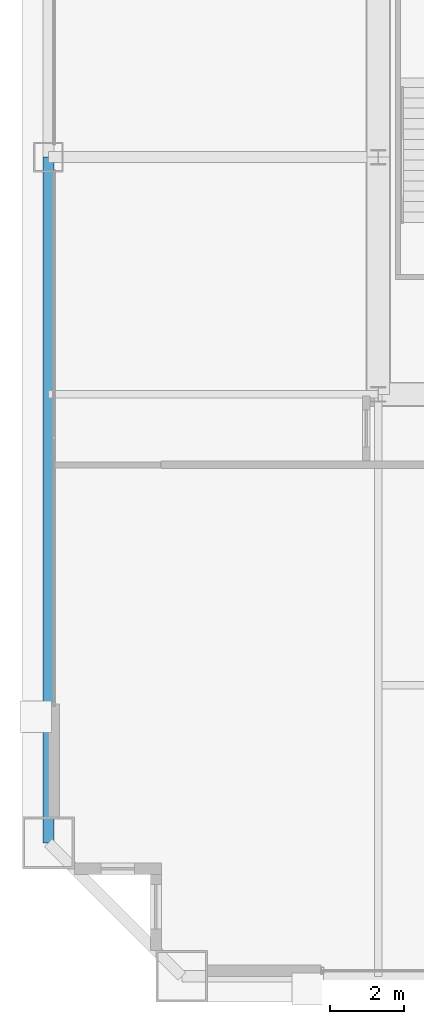
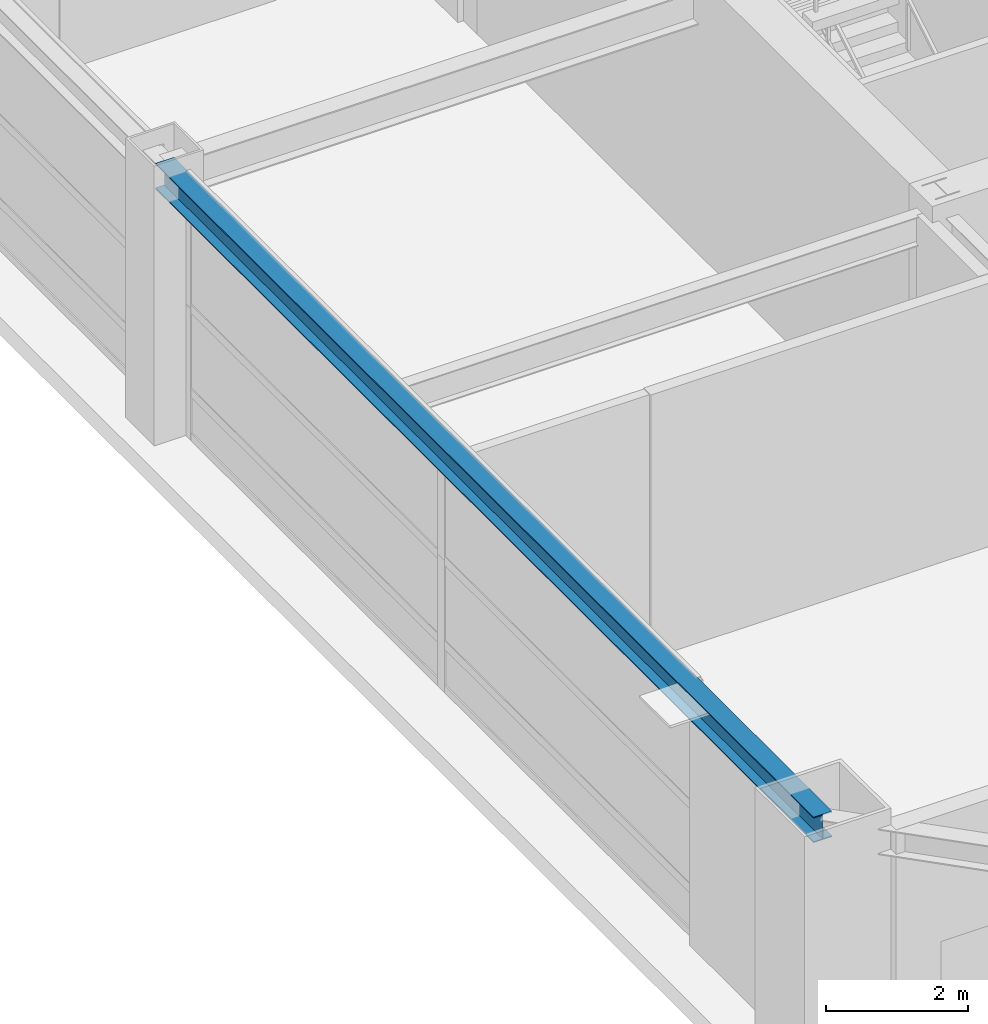
# One storey, part 7 of 34: 1 beam.
"""IFC4 building model written with IfcOpenShell, lengths in metres."""

import ifcopenshell
import ifcopenshell.guid

model = None  # the IFC model being written
_history = None  # IfcOwnerHistory: only IFC2X3 demands one
_inside = {}  # id of a spatial element -> (the spatial element, [elements in it])
_under = {}  # id of a project, library or spatial element -> (it, [spatial elements below it])
_declared = {}  # id of a project -> (the project, [libraries it declares])
_typed = {}  # id of a type object -> (the type object, [elements of that type])
_made_of = {}  # id of a material, layer set ... -> (it, [elements and type objects made of it])


def new_model(schema):
    """Start an empty IFC model of exactly this schema.

    Asked for "IFC4X3", IfcOpenShell would pick the latest addendum, in which some entities
    have other attributes; the version numbers below select the first issue.
    IFC2X3 requires an IfcOwnerHistory on every rooted entity: one is made here for all.
    """
    global model, _history
    if schema == "IFC4X3":
        model = ifcopenshell.file(schema_version=(4, 3, 0, 0))
    else:
        model = ifcopenshell.file(schema=schema)
    _inside.clear()
    _under.clear()
    _declared.clear()
    _typed.clear()
    _made_of.clear()
    _history = None
    if model.schema == "IFC2X3":
        org = make("IfcOrganization", Name="unknown")
        user = make(
            "IfcPersonAndOrganization",
            ThePerson=make("IfcPerson", FamilyName="unknown"),
            TheOrganization=org,
        )
        app = make(
            "IfcApplication",
            ApplicationDeveloper=org,
            Version="unknown",
            ApplicationFullName="unknown",
            ApplicationIdentifier="unknown",
        )
        _history = make(
            "IfcOwnerHistory",
            OwningUser=user,
            OwningApplication=app,
            ChangeAction="ADDED",
            CreationDate=0,
        )
    return model


def make(cls, **values):
    """One entity of the class cls with the attributes given. An attribute that is None is left unset."""
    return model.create_entity(
        cls, **{name: value for name, value in values.items() if value is not None}
    )


def rooted(cls, **values):
    """An entity with a GlobalId (a new one), such as an element, a storey or a relation."""
    return make(cls, GlobalId=ifcopenshell.guid.new(), OwnerHistory=_history, **values)


def si_unit(unit_type, name, prefix=None):
    """IfcSIUnit, for example si_unit("LENGTHUNIT", "METRE", prefix="MILLI")."""
    return make("IfcSIUnit", UnitType=unit_type, Prefix=prefix, Name=name)


def assignment(units):
    """IfcUnitAssignment: the units of a project."""
    return None if units is None else make("IfcUnitAssignment", Units=units)


def point(xyz):
    """IfcCartesianPoint."""
    return None if xyz is None else make("IfcCartesianPoint", Coordinates=xyz)


def direction(xyz):
    """IfcDirection."""
    return None if xyz is None else make("IfcDirection", DirectionRatios=xyz)


def frame(location, z_axis=None, x_axis=None):
    """IfcAxis2Placement3D, a coordinate frame: its origin and axes. An axis left out is left unset."""
    return make(
        "IfcAxis2Placement3D",
        Location=point(location),
        Axis=direction(z_axis),
        RefDirection=direction(x_axis),
    )


def frame_2d(location, x_axis=None):
    """IfcAxis2Placement2D, a coordinate frame in the plane: its origin and x axis."""
    return make(
        "IfcAxis2Placement2D", Location=point(location), RefDirection=direction(x_axis)
    )


def origin():
    """The frame at (0, 0, 0) with its axes left unset."""
    return frame((0.0, 0.0, 0.0))


def origin_2d():
    """The frame at (0, 0) in the plane with its x axis left unset."""
    return frame_2d((0.0, 0.0))


def place(relative_to, where):
    """IfcLocalPlacement: puts the frame where relative to a parent placement (None: the world)."""
    return make(
        "IfcLocalPlacement", PlacementRelTo=relative_to, RelativePlacement=where
    )


def context(
    kind, dimensions, precision=None, world=None, true_north=None, identifier=None
):
    """IfcGeometricRepresentationContext, for example the 3D "Model" context."""
    return make(
        "IfcGeometricRepresentationContext",
        ContextIdentifier=identifier,
        ContextType=kind,
        CoordinateSpaceDimension=dimensions,
        Precision=precision,
        WorldCoordinateSystem=world,
        TrueNorth=true_north,
    )


def subcontext(parent, identifier, kind, view, scale=None):
    """IfcGeometricRepresentationSubContext, for example "Body" below "Model"."""
    return make(
        "IfcGeometricRepresentationSubContext",
        ContextIdentifier=identifier,
        ContextType=kind,
        ParentContext=parent,
        TargetScale=scale,
        TargetView=view,
    )


def project(units=None, contexts=None):
    """IfcProject with its units and contexts."""
    return rooted(
        "IfcProject",
        Name="project",
        RepresentationContexts=contexts,
        UnitsInContext=assignment(units),
    )


def spatial(cls, under=None, at=None, **own):
    """A site, building, storey or space (cls), placed at a placement, below another one or the project."""
    s = rooted(cls, ObjectPlacement=at, **own)
    if under is not None:
        _under.setdefault(under.id(), (under, []))[1].append(s)
    return s


def profile(cls, at=None, kind="AREA", **sizes):
    """A parametric profile (cls). Its sizes go by their IFC names, for example OverallWidth=200.0."""
    return make(cls, ProfileType=kind, Position=at, **sizes)


def i_section(**sizes):
    """IfcIShapeProfileDef."""
    return profile("IfcIShapeProfileDef", **sizes)


def extrude(swept, where, along, depth):
    """IfcExtrudedAreaSolid: the profile swept, set in the frame where, extruded along a direction by depth."""
    return make(
        "IfcExtrudedAreaSolid",
        SweptArea=swept,
        Position=where,
        ExtrudedDirection=direction(along),
        Depth=depth,
    )


def shape(context_of_items, identifier, shape_type, items):
    """IfcShapeRepresentation: the items that make up one representation, for example the "Body"."""
    return make(
        "IfcShapeRepresentation",
        ContextOfItems=context_of_items,
        RepresentationIdentifier=identifier,
        RepresentationType=shape_type,
        Items=items,
    )


def source(mapping_origin, context_of_items, identifier, shape_type, items):
    """IfcRepresentationMap: a shape defined once, which mapped items show again and again."""
    return make(
        "IfcRepresentationMap",
        MappingOrigin=mapping_origin,
        MappedRepresentation=shape(context_of_items, identifier, shape_type, items),
    )


def transform(
    local_origin,
    x_axis=None,
    y_axis=None,
    z_axis=None,
    scale=None,
    scale2=None,
    scale3=None,
    uniform=True,
):
    """IfcCartesianTransformationOperator3D, or its non-uniform kind. x_axis, y_axis, z_axis: its Axis1, 2, 3."""
    if uniform:
        return make(
            "IfcCartesianTransformationOperator3D",
            Axis1=direction(x_axis),
            Axis2=direction(y_axis),
            LocalOrigin=point(local_origin),
            Scale=scale,
            Axis3=direction(z_axis),
        )
    return make(
        "IfcCartesianTransformationOperator3DnonUniform",
        Axis1=direction(x_axis),
        Axis2=direction(y_axis),
        LocalOrigin=point(local_origin),
        Scale=scale,
        Axis3=direction(z_axis),
        Scale2=scale2,
        Scale3=scale3,
    )


def mapped(mapping_source, mapping_target):
    """IfcMappedItem: shows the shape of a source again, moved by a transform."""
    return make(
        "IfcMappedItem", MappingSource=mapping_source, MappingTarget=mapping_target
    )


def material(Name=None, Category=None):
    """IfcMaterial."""
    return make("IfcMaterial", Name=Name, Category=Category)


def material_profile(
    of_material, cross_section, Name=None, Category=None, Priority=None
):
    """IfcMaterialProfile: a cross section and its material."""
    return make(
        "IfcMaterialProfile",
        Name=Name,
        Material=of_material,
        Profile=cross_section,
        Priority=Priority,
        Category=Category,
    )


def profile_set(profiles, Name=None, composite=None):
    """IfcMaterialProfileSet."""
    return make(
        "IfcMaterialProfileSet",
        Name=Name,
        MaterialProfiles=profiles,
        CompositeProfile=composite,
    )


def made_of(thing, what):
    """Note that an element or type object is made of a material, layer set ...; save() writes the relation."""
    if what is not None:
        _made_of.setdefault(what.id(), (what, []))[1].append(thing)
    return thing


def type_object(cls, material=None, **own):
    """A type object (cls), such as IfcWallType, which elements share."""
    return made_of(rooted(cls, **own), material)


def element(
    cls,
    number,
    at=None,
    inside=None,
    cuts=None,
    type_object=None,
    material=None,
    context=None,
    identifier="Body",
    shape_type=None,
    held_by="IfcProductDefinitionShape",
    body=None,
    shapes=None,
    **own,
):
    """One element of the class cls, such as IfcWall. Its Tag is "e" and its number.

    at: its placement. inside: the storey or other place that contains it. cuts: it is an
    opening in that element (IfcRelVoidsElement). A single representation is given by context,
    identifier, shape_type and body (its items); several are given by shapes. held_by: the class
    of the entity that holds the representations. save() writes the other relations.
    """
    e = rooted(cls, Tag="e%d" % number, ObjectPlacement=at, **own)
    if body is not None:
        shapes = [shape(context, identifier, shape_type, body)]
    if shapes is not None:
        e.Representation = make(held_by, Representations=shapes)
    if inside is not None:
        _inside.setdefault(inside.id(), (inside, []))[1].append(e)
    if cuts is not None:
        rooted(
            "IfcRelVoidsElement", RelatingBuildingElement=cuts, RelatedOpeningElement=e
        )
    if type_object is not None:
        _typed.setdefault(type_object.id(), (type_object, []))[1].append(e)
    return made_of(e, material)


def aggregate(whole, parts):
    """IfcRelAggregates: a whole, such as a stair, and the parts it consists of."""
    return rooted("IfcRelAggregates", RelatingObject=whole, RelatedObjects=parts)


def save(model, path):
    """Write the relations noted so far, then the file.

    IfcRelAggregates (storeys below a building ...), IfcRelContainedInSpatialStructure (elements
    in a storey), IfcRelDefinesByType, IfcRelAssociatesMaterial and IfcRelDeclares: one each for
    every whole, place, type object, material and project.
    """
    for whole, parts in _under.values():
        aggregate(whole, parts)
    for where, things in _inside.values():
        rooted(
            "IfcRelContainedInSpatialStructure",
            RelatedElements=things,
            RelatingStructure=where,
        )
    for kind, things in _typed.values():
        rooted("IfcRelDefinesByType", RelatedObjects=things, RelatingType=kind)
    for what, things in _made_of.values():
        rooted("IfcRelAssociatesMaterial", RelatedObjects=things, RelatingMaterial=what)
    for by, libraries in _declared.values():
        rooted("IfcRelDeclares", RelatingContext=by, RelatedDefinitions=libraries)
    model.write(path)


model = new_model("IFC4")

# Units and contexts
model_context = context("Model", 3, precision=1e-05, world=origin(), true_north=direction((0.0, 1.0)))
body_context = subcontext(model_context, "Body", "Model", "MODEL_VIEW")
ifc_project = project(units=[si_unit("LENGTHUNIT", "METRE"), si_unit("AREAUNIT", "SQUARE_METRE"), si_unit("VOLUMEUNIT", "CUBIC_METRE"), si_unit("PLANEANGLEUNIT", "RADIAN"), si_unit("MASSUNIT", "GRAM", prefix="KILO"), si_unit("THERMODYNAMICTEMPERATUREUNIT", "KELVIN"), si_unit("POWERUNIT", "WATT")], contexts=[model_context])

# Site, building, storey
site_placement = place(None, origin())
site = spatial("IfcSite", under=ifc_project, at=site_placement, CompositionType="ELEMENT")
building_placement = place(site_placement, origin())
building = spatial("IfcBuilding", under=site, at=building_placement, Name="Yuzanri Waterfront Tower", CompositionType="ELEMENT")
storey_placement = place(building_placement, frame((0.0, 0.0, 171.60009765625)))
storey = spatial("IfcBuildingStorey", under=building, at=storey_placement, Name="L45", CompositionType="ELEMENT", Elevation=171.60009765625)

# Beam
ifc_material = material(Name="Steel Q355B", Category="steel")
ifc_material_profile = material_profile(ifc_material, i_section(OverallWidth=0.300048828125, OverallDepth=0.43994140625, WebThickness=0.010986328125, FlangeThickness=0.01806640625, at=origin_2d()), Name="HM 440x300x11x18")
ifc_profile_set = profile_set([ifc_material_profile], Name="Steel Q355B")
beam_type = type_object("IfcBeamType", Name="Perimeter Spandrel Q355B HM 440x300", PredefinedType="SPANDREL", material=ifc_profile_set)
shared_shape = source(origin(), body_context, "Body", "SweptSolid", [
    extrude(i_section(OverallWidth=0.300048828125, OverallDepth=0.43994140625, WebThickness=0.010986328125, FlangeThickness=0.01806640625, at=origin_2d()), origin(), (0.0, 0.0, 1.0), 18.5),
])
beam_placement = place(storey_placement, frame((14.89990234375, 25.800048828125, 4.2998046875), z_axis=(0.0, -1.0, 0.0), x_axis=(1.0, 0.0, 0.0)))
element("IfcBeam", 1, at=beam_placement, inside=storey, type_object=beam_type, Name="L45 Perimeter Spandrel W2-W1", PredefinedType="SPANDREL", context=body_context, shape_type="MappedRepresentation", body=[
    mapped(shared_shape, transform((0.0, 0.0, 0.0), scale=1.0)),
])

save(model, "model.ifc")
